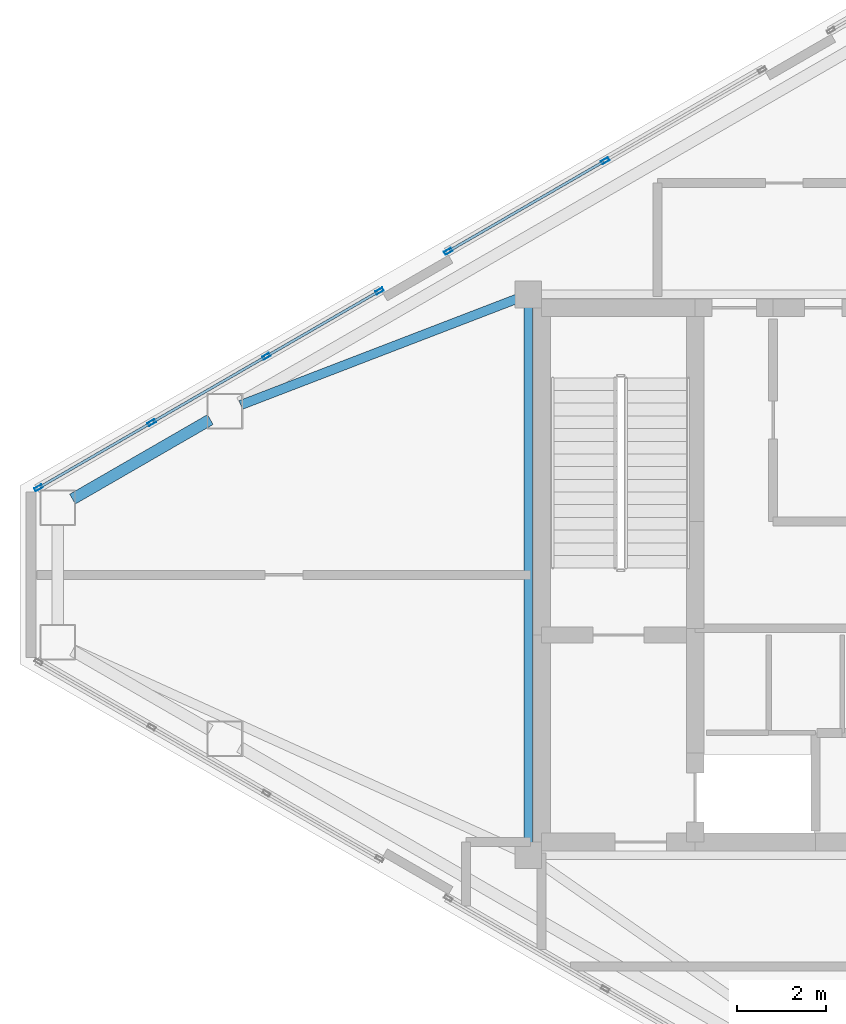
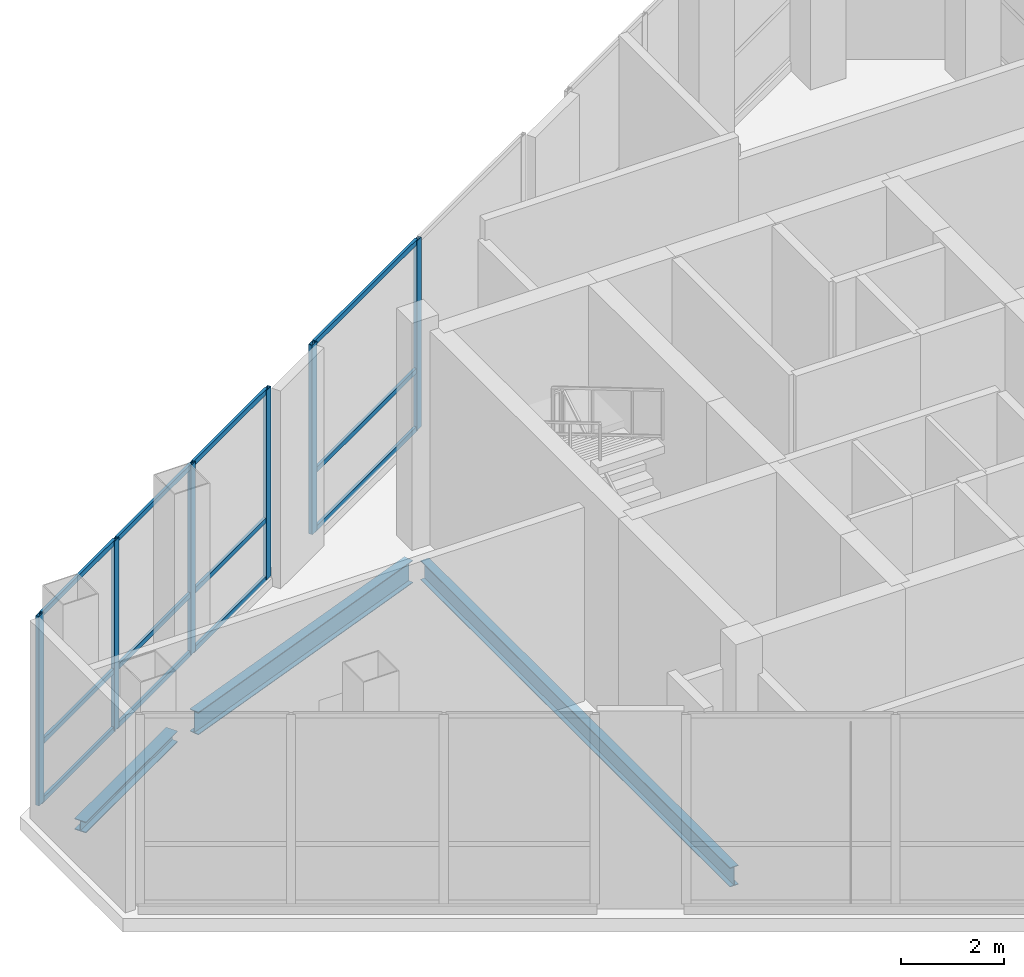
# One storey, part 6 of 13: 18 members, 3 beams, 2 elements without a shape of their own.
"""IFC4 building model written with IfcOpenShell, lengths in metres."""

from ifc_helpers import new_model, si_unit, direction, frame, origin, origin_2d, place, context, subcontext, project, spatial, hollow_rectangle, i_section, extrude, material, layer, layer_set, material_profile, profile_set, type_object, element, aggregate, save


model = new_model("IFC4")

# Units and contexts
model_context = context("Model", 3, precision=1e-05, world=origin(), true_north=direction((0.0, 1.0)))
body_context = subcontext(model_context, "Body", "Model", "MODEL_VIEW")
ifc_project = project(units=[si_unit("LENGTHUNIT", "METRE"), si_unit("AREAUNIT", "SQUARE_METRE"), si_unit("VOLUMEUNIT", "CUBIC_METRE"), si_unit("PLANEANGLEUNIT", "RADIAN"), si_unit("MASSUNIT", "GRAM", prefix="KILO")], contexts=[model_context])

# Site, building, storey
site_placement = place(None, origin())
site = spatial("IfcSite", under=ifc_project, at=site_placement, CompositionType="ELEMENT")
building_placement = place(site_placement, origin())
building = spatial("IfcBuilding", under=site, at=building_placement, Name="Mersakhor Tower and Convention Hall", CompositionType="ELEMENT")
storey_placement = place(building_placement, frame((0.0, 0.0, 258.60009765625)))
storey = spatial("IfcBuildingStorey", under=building, at=storey_placement, Name="L72", CompositionType="ELEMENT", Elevation=258.60009765625)

# Beams
ifc_material_1 = material(Name="Steel S355", Category="steel")
ifc_material_profile_1 = material_profile(ifc_material_1, i_section(OverallWidth=0.19140625, OverallDepth=0.4599609375, WebThickness=0.010009765625, FlangeThickness=0.01611328125, at=origin_2d()), Name="UB 457x191x82")
ifc_profile_set_1 = profile_set([ifc_material_profile_1], Name="Steel S355")
beam_type_1 = type_object("IfcBeamType", Name="BM-FB-457", PredefinedType="BEAM", material=ifc_profile_set_1)
beam_1_placement = place(storey_placement, frame((21.89990234375, 20.72998046875, -0.550048828125), z_axis=(0.0, 1.0, 0.0), x_axis=(-1.0, 0.0, 0.0)))
element("IfcBeam", 1, at=beam_1_placement, inside=storey, type_object=beam_type_1, Name="L72 Core Ring Tie Beam CRB-1", PredefinedType="BEAM", context=body_context, shape_type="SweptSolid", body=[
    extrude(i_section(OverallWidth=0.19140625, OverallDepth=0.4599609375, WebThickness=0.010009765625, FlangeThickness=0.01611328125, at=origin_2d()), origin(), (0.0, 0.0, 1.0), 12.0400390625),
])
ifc_material_2 = material(Name="Steel S355", Category="steel")
ifc_material_profile_2 = material_profile(ifc_material_2, i_section(OverallWidth=0.2099609375, OverallDepth=0.53662109375, WebThickness=0.0107421875, FlangeThickness=0.017333984375, at=origin_2d()), Name="UB 533x210x101")
ifc_profile_set_2 = profile_set([ifc_material_profile_2], Name="Steel S355")
beam_type_2 = type_object("IfcBeamType", Name="BM-FB-533", PredefinedType="BEAM", material=ifc_profile_set_2)
beam_2_placement = place(storey_placement, frame((21.638671875, 32.949462890625, -0.58837890625), z_axis=(-0.933316231297, -0.359055444741, 0.0), x_axis=(0.359055444741, -0.933316231297, 0.0)))
element("IfcBeam", 2, at=beam_2_placement, inside=storey, type_object=beam_type_2, Name="L72 Primary Floor Girder FG-1", PredefinedType="BEAM", context=body_context, shape_type="SweptSolid", body=[
    extrude(i_section(OverallWidth=0.2099609375, OverallDepth=0.53662109375, WebThickness=0.0107421875, FlangeThickness=0.017333984375, at=origin_2d()), origin(), (0.0, 0.0, 1.0), 6.64111328125),
])
ifc_material_3 = material(Name="Steel S355", Category="steel")
ifc_material_profile_3 = material_profile(ifc_material_3, i_section(OverallWidth=0.25634765625, OverallDepth=0.26025390625, WebThickness=0.01025390625, FlangeThickness=0.017333984375, at=origin_2d()), Name="UC 254x254x89")
ifc_profile_set_3 = profile_set([ifc_material_profile_3], Name="Steel S355")
beam_type_3 = type_object("IfcBeamType", Name="BM-SPD-UC254", PredefinedType="SPANDREL", material=ifc_profile_set_3)
beam_3_placement = place(storey_placement, frame((11.6611328125, 28.451416015625, -0.4501953125), z_axis=(0.866032030752, 0.499988521579, 0.0), x_axis=(-0.499988521579, 0.866032030752, 0.0)))
element("IfcBeam", 3, at=beam_3_placement, inside=storey, type_object=beam_type_3, Name="L72 Perimeter Spandrel Beam SPB-01", PredefinedType="SPANDREL", context=body_context, shape_type="SweptSolid", body=[
    extrude(i_section(OverallWidth=0.25634765625, OverallDepth=0.26025390625, WebThickness=0.01025390625, FlangeThickness=0.017333984375, at=origin_2d()), origin(), (0.0, 0.0, 1.0), 3.57421875),
])

# Curtain wall, members
ifc_material_4 = material(Name="Dark solar low-E aluminium curtain wall", Category="aluminium")
ifc_layer = layer(ifc_material_4, 0.2099609375)
ifc_layer_set = layer_set([ifc_layer], Name="Dark solar low-E aluminium curtain wall")
curtain_wall_type = type_object("IfcCurtainWallType", Name="CW-SYS-06", PredefinedType="USERDEFINED", material=ifc_layer_set)
curtain_wall_1_placement = place(storey_placement, origin())
curtain_wall_1 = element("IfcCurtainWall", 4, at=curtain_wall_1_placement, inside=storey, type_object=curtain_wall_type, Name="L72 Dark-Glass Curtain Wall F1-B1", ObjectType="CURTAIN WALL", PredefinedType="USERDEFINED")
ifc_material_5 = material(Name="Anodised aluminium EN AW-6063 T6", Category="aluminium")
ifc_material_profile_4 = material_profile(ifc_material_5, hollow_rectangle(XDim=0.080078125, YDim=0.179931640625, WallThickness=0.008056640625, at=origin_2d()), Name="RHS 180x80x8")
ifc_profile_set_4 = profile_set([ifc_material_profile_4], Name="Anodised aluminium EN AW-6063 T6")
member_type_1 = type_object("IfcMemberType", Name="CWM-180x80", PredefinedType="MULLION", material=ifc_profile_set_4)
member_1_placement = place(storey_placement, frame((10.896484375, 28.70263671875, 0.199951171875), z_axis=(0.0, 0.0, 1.0), x_axis=(-0.5000000776, 0.866025358982, 0.0)))
member_1 = element("IfcMember", 5, at=member_1_placement, type_object=member_type_1, Name="CW-06 mullion 1", PredefinedType="MULLION", context=body_context, shape_type="SweptSolid", body=[
    extrude(hollow_rectangle(XDim=0.080078125, YDim=0.179931640625, WallThickness=0.008056640625, at=origin_2d()), origin(), (0.0, 0.0, 1.0), 4.5),
])
member_2_placement = place(storey_placement, frame((13.439208984375, 30.170654296875, 0.199951171875), z_axis=(0.0, 0.0, 1.0), x_axis=(-0.5000000776, 0.866025358982, 0.0)))
member_2 = element("IfcMember", 6, at=member_2_placement, type_object=member_type_1, Name="CW-06 mullion 2", PredefinedType="MULLION", context=body_context, shape_type="SweptSolid", body=[
    extrude(hollow_rectangle(XDim=0.080078125, YDim=0.179931640625, WallThickness=0.008056640625, at=origin_2d()), origin(), (0.0, 0.0, 1.0), 4.5),
])
member_3_placement = place(storey_placement, frame((16.016357421875, 31.65869140625, 0.199951171875), z_axis=(0.0, 0.0, 1.0), x_axis=(-0.5000000776, 0.866025358982, 0.0)))
member_3 = element("IfcMember", 7, at=member_3_placement, type_object=member_type_1, Name="CW-06 mullion 3", PredefinedType="MULLION", context=body_context, shape_type="SweptSolid", body=[
    extrude(hollow_rectangle(XDim=0.080078125, YDim=0.179931640625, WallThickness=0.008056640625, at=origin_2d()), origin(), (0.0, 0.0, 1.0), 4.5),
])
member_4_placement = place(storey_placement, frame((18.558837890625, 33.126708984375, 0.199951171875), z_axis=(0.0, 0.0, 1.0), x_axis=(-0.5000000776, 0.866025358982, 0.0)))
member_4 = element("IfcMember", 8, at=member_4_placement, type_object=member_type_1, Name="CW-06 mullion 4", PredefinedType="MULLION", context=body_context, shape_type="SweptSolid", body=[
    extrude(hollow_rectangle(XDim=0.080078125, YDim=0.179931640625, WallThickness=0.008056640625, at=origin_2d()), origin(), (0.0, 0.0, 1.0), 4.5),
])

curtain_wall_2_placement = place(storey_placement, origin())
curtain_wall_2 = element("IfcCurtainWall", 9, at=curtain_wall_2_placement, inside=storey, type_object=curtain_wall_type, Name="L72 Dark-Glass Curtain Wall F1-B2", ObjectType="CURTAIN WALL", PredefinedType="USERDEFINED")
member_5_placement = place(storey_placement, frame((20.1005859375, 34.0166015625, 0.199951171875), z_axis=(0.0, 0.0, 1.0), x_axis=(-0.500004411169, 0.86602285698, 0.0)))
member_5 = element("IfcMember", 10, at=member_5_placement, type_object=member_type_1, Name="CW-06 mullion 1", PredefinedType="MULLION", context=body_context, shape_type="SweptSolid", body=[
    extrude(hollow_rectangle(XDim=0.080078125, YDim=0.179931640625, WallThickness=0.008056640625, at=origin_2d()), origin(), (0.0, 0.0, 1.0), 4.5),
])
member_6_placement = place(storey_placement, frame((23.628662109375, 36.053466796875, 0.199951171875), z_axis=(0.0, 0.0, 1.0), x_axis=(-0.500004411169, 0.86602285698, 0.0)))
member_6 = element("IfcMember", 11, at=member_6_placement, type_object=member_type_1, Name="CW-06 mullion 2", PredefinedType="MULLION", context=body_context, shape_type="SweptSolid", body=[
    extrude(hollow_rectangle(XDim=0.080078125, YDim=0.179931640625, WallThickness=0.008056640625, at=origin_2d()), origin(), (0.0, 0.0, 1.0), 4.5),
])

# Member
ifc_material_6 = material(Name="Anodised aluminium EN AW-6063 T6", Category="aluminium")
ifc_material_profile_5 = material_profile(ifc_material_6, hollow_rectangle(XDim=0.06005859375, YDim=0.1201171875, WallThickness=0.0048828125, at=origin_2d()), Name="RHS 120x60x5")
ifc_profile_set_5 = profile_set([ifc_material_profile_5], Name="Anodised aluminium EN AW-6063 T6")
member_type_2 = type_object("IfcMemberType", Name="CWT-120x60", PredefinedType="USERDEFINED", material=ifc_profile_set_5)
member_7_placement = place(storey_placement, frame((10.93115234375, 28.72265625, 0.22998046875), z_axis=(0.866030422172, 0.499991307796, 0.0), x_axis=(-0.499991307796, 0.866030422172, 0.0)))
member_7 = element("IfcMember", 12, at=member_7_placement, type_object=member_type_2, Name="CW-06 transom 1.1", ObjectType="TRANSOM", PredefinedType="USERDEFINED", context=body_context, shape_type="SweptSolid", body=[
    extrude(hollow_rectangle(XDim=0.06005859375, YDim=0.1201171875, WallThickness=0.0048828125, at=origin_2d()), origin(), (0.0, 0.0, 1.0), 2.85595703125),
])

member_8_placement = place(storey_placement, frame((10.93115234375, 28.72265625, 1.619873046875), z_axis=(0.866030422172, 0.499991307796, 0.0), x_axis=(-0.499991307796, 0.866030422172, 0.0)))
member_8 = element("IfcMember", 13, at=member_8_placement, type_object=member_type_2, Name="CW-06 transom 1.2", ObjectType="TRANSOM", PredefinedType="USERDEFINED", context=body_context, shape_type="SweptSolid", body=[
    extrude(hollow_rectangle(XDim=0.06005859375, YDim=0.1201171875, WallThickness=0.0048828125, at=origin_2d()), origin(), (0.0, 0.0, 1.0), 2.85595703125),
])

member_9_placement = place(storey_placement, frame((10.93115234375, 28.72265625, 4.669921875), z_axis=(0.866030422172, 0.499991307796, 0.0), x_axis=(-0.499991307796, 0.866030422172, 0.0)))
member_9 = element("IfcMember", 14, at=member_9_placement, type_object=member_type_2, Name="CW-06 transom 1.3", ObjectType="TRANSOM", PredefinedType="USERDEFINED", context=body_context, shape_type="SweptSolid", body=[
    extrude(hollow_rectangle(XDim=0.06005859375, YDim=0.1201171875, WallThickness=0.0048828125, at=origin_2d()), origin(), (0.0, 0.0, 1.0), 2.85595703125),
])

member_10_placement = place(storey_placement, frame((13.473876953125, 30.190673828125, 0.22998046875), z_axis=(0.866008682139, 0.500028961621, 0.0), x_axis=(-0.500028961621, 0.866008682139, 0.0)))
member_10 = element("IfcMember", 15, at=member_10_placement, type_object=member_type_2, Name="CW-06 transom 2.1", ObjectType="TRANSOM", PredefinedType="USERDEFINED", context=body_context, shape_type="SweptSolid", body=[
    extrude(hollow_rectangle(XDim=0.06005859375, YDim=0.1201171875, WallThickness=0.0048828125, at=origin_2d()), origin(), (0.0, 0.0, 1.0), 2.895751953125),
])

member_11_placement = place(storey_placement, frame((13.473876953125, 30.190673828125, 1.619873046875), z_axis=(0.866008682139, 0.500028961621, 0.0), x_axis=(-0.500028961621, 0.866008682139, 0.0)))
member_11 = element("IfcMember", 16, at=member_11_placement, type_object=member_type_2, Name="CW-06 transom 2.2", ObjectType="TRANSOM", PredefinedType="USERDEFINED", context=body_context, shape_type="SweptSolid", body=[
    extrude(hollow_rectangle(XDim=0.06005859375, YDim=0.1201171875, WallThickness=0.0048828125, at=origin_2d()), origin(), (0.0, 0.0, 1.0), 2.895751953125),
])

member_12_placement = place(storey_placement, frame((13.473876953125, 30.190673828125, 4.669921875), z_axis=(0.866008682139, 0.500028961621, 0.0), x_axis=(-0.500028961621, 0.866008682139, 0.0)))
member_12 = element("IfcMember", 17, at=member_12_placement, type_object=member_type_2, Name="CW-06 transom 2.3", ObjectType="TRANSOM", PredefinedType="USERDEFINED", context=body_context, shape_type="SweptSolid", body=[
    extrude(hollow_rectangle(XDim=0.06005859375, YDim=0.1201171875, WallThickness=0.0048828125, at=origin_2d()), origin(), (0.0, 0.0, 1.0), 2.895751953125),
])

member_13_placement = place(storey_placement, frame((16.051025390625, 31.6787109375, 0.22998046875), z_axis=(0.866030422172, 0.499991307796, 0.0), x_axis=(-0.499991307796, 0.866030422172, 0.0)))
member_13 = element("IfcMember", 18, at=member_13_placement, type_object=member_type_2, Name="CW-06 transom 3.1", ObjectType="TRANSOM", PredefinedType="USERDEFINED", context=body_context, shape_type="SweptSolid", body=[
    extrude(hollow_rectangle(XDim=0.06005859375, YDim=0.1201171875, WallThickness=0.0048828125, at=origin_2d()), origin(), (0.0, 0.0, 1.0), 2.85595703125),
])

member_14_placement = place(storey_placement, frame((16.051025390625, 31.6787109375, 1.619873046875), z_axis=(0.866030422172, 0.499991307796, 0.0), x_axis=(-0.499991307796, 0.866030422172, 0.0)))
member_14 = element("IfcMember", 19, at=member_14_placement, type_object=member_type_2, Name="CW-06 transom 3.2", ObjectType="TRANSOM", PredefinedType="USERDEFINED", context=body_context, shape_type="SweptSolid", body=[
    extrude(hollow_rectangle(XDim=0.06005859375, YDim=0.1201171875, WallThickness=0.0048828125, at=origin_2d()), origin(), (0.0, 0.0, 1.0), 2.85595703125),
])

member_15_placement = place(storey_placement, frame((16.051025390625, 31.6787109375, 4.669921875), z_axis=(0.866030422172, 0.499991307796, 0.0), x_axis=(-0.499991307796, 0.866030422172, 0.0)))
member_15 = element("IfcMember", 20, at=member_15_placement, type_object=member_type_2, Name="CW-06 transom 3.3", ObjectType="TRANSOM", PredefinedType="USERDEFINED", context=body_context, shape_type="SweptSolid", body=[
    extrude(hollow_rectangle(XDim=0.06005859375, YDim=0.1201171875, WallThickness=0.0048828125, at=origin_2d()), origin(), (0.0, 0.0, 1.0), 2.85595703125),
])

aggregate(curtain_wall_1, [member_1, member_2, member_3, member_4, member_7, member_8, member_9, member_10, member_11, member_12, member_13, member_14, member_15])

member_16_placement = place(storey_placement, frame((20.13525390625, 34.03662109375, 0.22998046875), z_axis=(0.866033907579, 0.499985270706, 0.0), x_axis=(-0.499985270706, 0.866033907579, 0.0)))
member_16 = element("IfcMember", 21, at=member_16_placement, type_object=member_type_2, Name="CW-06 transom 1.1", ObjectType="TRANSOM", PredefinedType="USERDEFINED", context=body_context, shape_type="SweptSolid", body=[
    extrude(hollow_rectangle(XDim=0.06005859375, YDim=0.1201171875, WallThickness=0.0048828125, at=origin_2d()), origin(), (0.0, 0.0, 1.0), 3.99365234375),
])

member_17_placement = place(storey_placement, frame((20.13525390625, 34.03662109375, 1.619873046875), z_axis=(0.866033907579, 0.499985270706, 0.0), x_axis=(-0.499985270706, 0.866033907579, 0.0)))
member_17 = element("IfcMember", 22, at=member_17_placement, type_object=member_type_2, Name="CW-06 transom 1.2", ObjectType="TRANSOM", PredefinedType="USERDEFINED", context=body_context, shape_type="SweptSolid", body=[
    extrude(hollow_rectangle(XDim=0.06005859375, YDim=0.1201171875, WallThickness=0.0048828125, at=origin_2d()), origin(), (0.0, 0.0, 1.0), 3.99365234375),
])

member_18_placement = place(storey_placement, frame((20.13525390625, 34.03662109375, 4.669921875), z_axis=(0.866033907579, 0.499985270706, 0.0), x_axis=(-0.499985270706, 0.866033907579, 0.0)))
member_18 = element("IfcMember", 23, at=member_18_placement, type_object=member_type_2, Name="CW-06 transom 1.3", ObjectType="TRANSOM", PredefinedType="USERDEFINED", context=body_context, shape_type="SweptSolid", body=[
    extrude(hollow_rectangle(XDim=0.06005859375, YDim=0.1201171875, WallThickness=0.0048828125, at=origin_2d()), origin(), (0.0, 0.0, 1.0), 3.99365234375),
])

aggregate(curtain_wall_2, [member_5, member_6, member_16, member_17, member_18])

save(model, "model.ifc")
